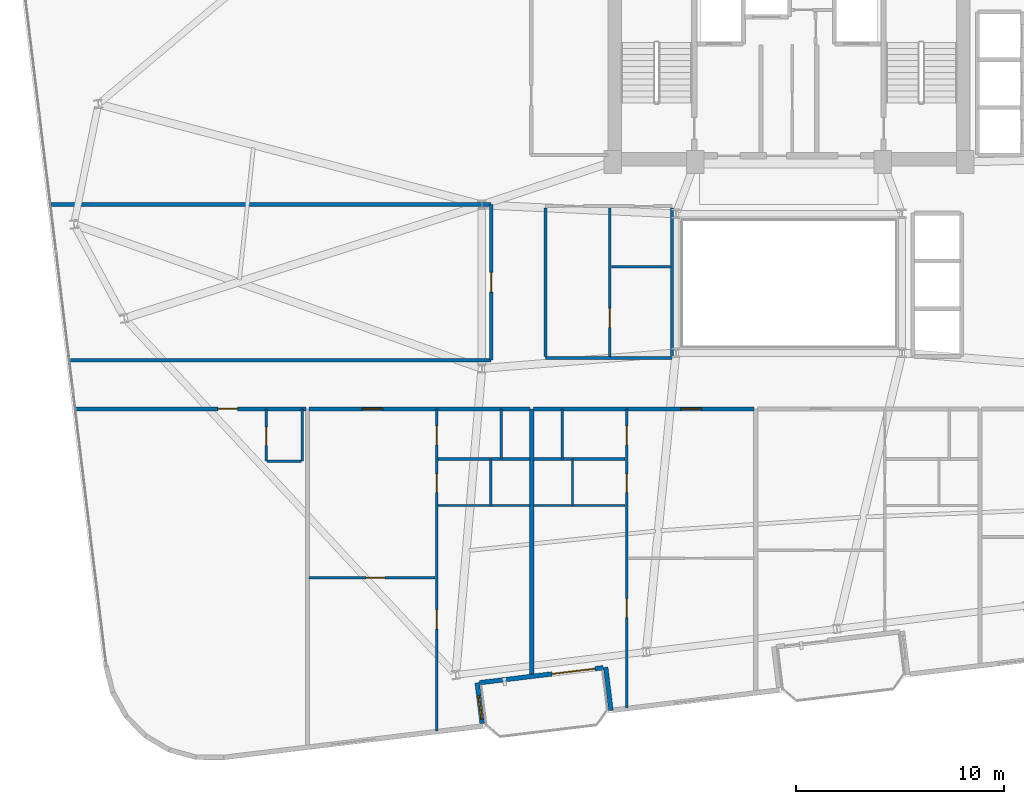
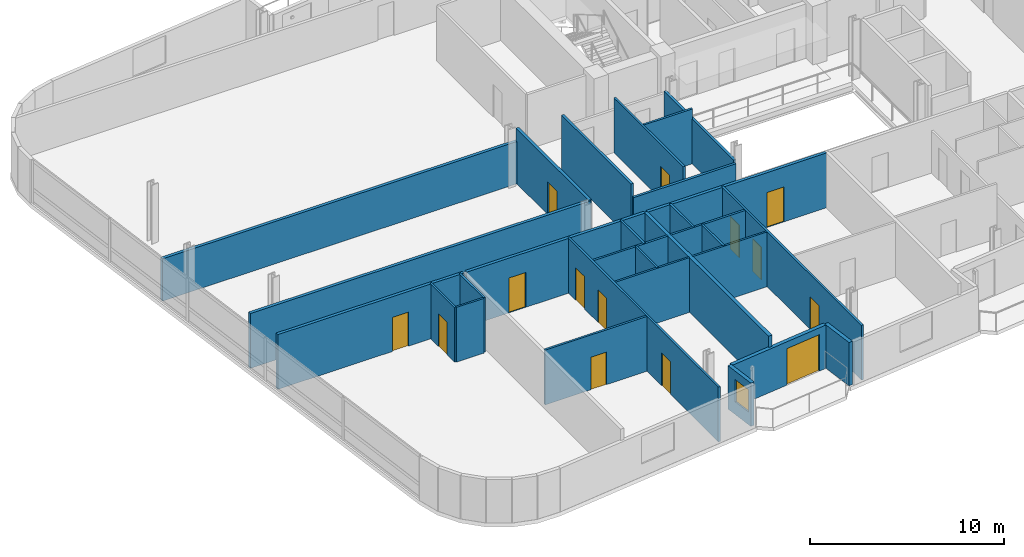
# One storey, part 14 of 23: 29 walls, 14 doors, 1 window, 15 openings.
"""IFC4 building model written with IfcOpenShell, lengths in metres."""

from ifc_helpers import new_model, si_unit, direction, frame, frame_2d, origin, place, context, subcontext, project, spatial, rectangle, extrude, material, layer, layer_set, type_object, element, fill, save


model = new_model("IFC4")

# Units and contexts
model_context = context("Model", 3, precision=1e-05, world=origin(), true_north=direction((0.0, 1.0)))
body_context = subcontext(model_context, "Body", "Model", "MODEL_VIEW")
ifc_project = project(units=[si_unit("LENGTHUNIT", "METRE"), si_unit("AREAUNIT", "SQUARE_METRE"), si_unit("VOLUMEUNIT", "CUBIC_METRE"), si_unit("PLANEANGLEUNIT", "RADIAN"), si_unit("MASSUNIT", "GRAM", prefix="KILO")], contexts=[model_context])

# Site, building, storey
site_placement = place(None, origin())
site = spatial("IfcSite", under=ifc_project, at=site_placement, CompositionType="ELEMENT")
building_placement = place(site_placement, origin())
building = spatial("IfcBuilding", under=site, at=building_placement, Name="Varnelok Gate Tower", CompositionType="ELEMENT")
storey_placement = place(building_placement, frame((0.0, 0.0, 170.89990234375)))
storey = spatial("IfcBuildingStorey", under=building, at=storey_placement, Name="L43", CompositionType="ELEMENT", Elevation=170.89990234375)

# Wall, opening, door
ifc_material_1 = material(Name="Concrete C45/55", Category="concrete")
ifc_layer_1 = layer(ifc_material_1, 0.219970703125)
ifc_layer_set_1 = layer_set([ifc_layer_1], Name="Concrete C45/55")
wall_type_1 = type_object("IfcWallType", Name="EW-BALC-220", PredefinedType="SOLIDWALL", material=ifc_layer_set_1)
wall_1_placement = place(storey_placement, frame((30.25244140625, 4.381103515625, 0.0), z_axis=(0.0, 0.0, 1.0), x_axis=(-0.992735402148, -0.120318000826, 0.0)))
wall_1 = element("IfcWall", 1, at=wall_1_placement, inside=storey, type_object=wall_type_1, Name="L43 South Terrace Envelope Wall 1", PredefinedType="SOLIDWALL", context=body_context, shape_type="SweptSolid", body=[
    extrude(rectangle(XDim=6.000244140625, YDim=0.219970703125, at=frame_2d((3.0, 0.0))), origin(), (0.0, 0.0, 1.0), 2.72998046875),
])
opening_1_placement = place(wall_1_placement, frame((0.39990234375, 0.0, 0.0)))
opening_1 = element("IfcOpeningElement", 2, at=opening_1_placement, cuts=wall_1, Name="Opening BD-2", PredefinedType="OPENING", context=body_context, shape_type="SweptSolid", body=[
    extrude(rectangle(XDim=2.10009765625, YDim=2.300048828125, at=frame_2d((1.050048828125, 1.14990234375))), frame((0.0, 0.119873046875, 0.0), z_axis=(0.0, -1.0, 0.0), x_axis=(1.0, 0.0, 0.0)), (0.0, 0.0, 1.0), 0.239990234375),
])
ifc_material_2 = material(Name="Anodized Aluminum Alloy 6063-T6", Category="aluminium")
door_type_1 = type_object("IfcDoorType", Name="DR-EXT-SLID2100", OperationType="SLIDING_TO_LEFT", PredefinedType="DOOR", material=ifc_material_2)
door_1_placement = place(opening_1_placement, origin())
door_1 = element("IfcDoor", 3, at=door_1_placement, inside=storey, type_object=door_type_1, Name="L43 South Balcony Glazed Door 1", OperationType="SLIDING_TO_LEFT", OverallHeight=2.300048828125, OverallWidth=2.10009765625, PredefinedType="DOOR", context=body_context, shape_type="SweptSolid", body=[
    extrude(rectangle(XDim=2.10009765625, YDim=2.300048828125, at=frame_2d((1.050048828125, 1.14990234375))), frame((0.0, 0.02490234375, 0.0), z_axis=(0.0, -1.0, 0.0), x_axis=(1.0, 0.0, 0.0)), (0.0, 0.0, 1.0), 0.050048828125),
])
fill(opening_1, door_1)

# Wall, opening, window
wall_2_placement = place(storey_placement, frame((24.413330078125, 1.694091796875, 0.0), z_axis=(0.0, 0.0, 1.0), x_axis=(-0.120290754542, 0.992738703976, 0.0)))
wall_2 = element("IfcWall", 4, at=wall_2_placement, inside=storey, type_object=wall_type_1, Name="L43 Perimeter Facade Closure Wall 8", PredefinedType="SOLIDWALL", context=body_context, shape_type="SweptSolid", body=[
    extrude(rectangle(XDim=1.974853515625, YDim=0.219970703125, at=frame_2d((0.9873046875, 0.0))), origin(), (0.0, 0.0, 1.0), 2.72998046875),
])
opening_2_placement = place(wall_2_placement, frame((0.199951171875, 0.0, 0.800048828125)))
opening_2 = element("IfcOpeningElement", 5, at=opening_2_placement, cuts=wall_2, Name="Opening WN8", PredefinedType="OPENING", context=body_context, shape_type="SweptSolid", body=[
    extrude(rectangle(XDim=1.14990234375, YDim=1.39990234375, at=frame_2d((0.574951171875, 0.699951171875))), frame((0.0, 0.119873046875, 0.0), z_axis=(0.0, -1.0, 0.0), x_axis=(1.0, 0.0, 0.0)), (0.0, 0.0, 1.0), 0.239990234375),
])
ifc_material_3 = material(Name="Low-E Laminated Double Glazing IGU", Category="glass")
window_type = type_object("IfcWindowType", Name="WN-BED-1150", PartitioningType="SINGLE_PANEL", PredefinedType="WINDOW", material=ifc_material_3)
window_placement = place(opening_2_placement, origin())
window = element("IfcWindow", 6, at=window_placement, inside=storey, type_object=window_type, Name="L43 Bedroom Vision Window 21", OverallHeight=1.39990234375, OverallWidth=1.14990234375, PartitioningType="SINGLE_PANEL", PredefinedType="WINDOW", context=body_context, shape_type="SweptSolid", body=[
    extrude(rectangle(XDim=1.14990234375, YDim=1.39990234375, at=frame_2d((0.574951171875, 0.699951171875))), frame((0.0, 0.030029296875, 0.0), z_axis=(0.0, -1.0, 0.0), x_axis=(1.0, 0.0, 0.0)), (0.0, 0.0, 1.0), 0.06005859375),
])
fill(opening_2, window)

# Wall
wall_3_placement = place(storey_placement, frame((30.370361328125, 4.405517578125, 0.0), z_axis=(0.0, 0.0, 1.0), x_axis=(0.120327895535, -0.992734202874, 0.0)))
element("IfcWall", 7, at=wall_3_placement, inside=storey, type_object=wall_type_1, Name="L43 Perimeter Facade Closure Wall 9", PredefinedType="SOLIDWALL", context=body_context, shape_type="SweptSolid", body=[
    extrude(rectangle(XDim=2.099853515625, YDim=0.219970703125, at=frame_2d((1.0498046875, 0.0))), origin(), (0.0, 0.0, 1.0), 2.72998046875),
])

# Wall, opening, door
ifc_material_4 = material(Name="Gypsum Plasterboard Acoustic Partition", Category="gypsum")
ifc_layer_2 = layer(ifc_material_4, 0.179931640625)
ifc_layer_set_2 = layer_set([ifc_layer_2], Name="Gypsum Plasterboard Acoustic Partition")
wall_type_2 = type_object("IfcWallType", Name="PW-CORR-180", PredefinedType="PARTITIONING", material=ifc_layer_set_2)
wall_4_placement = place(storey_placement, frame((4.846923828125, 16.85009765625, 0.0), z_axis=(0.0, 0.0, 1.0), x_axis=(1.0, 0.0, 0.0)))
wall_4 = element("IfcWall", 8, at=wall_4_placement, inside=storey, type_object=wall_type_2, Name="Interior Partition", PredefinedType="PARTITIONING", context=body_context, shape_type="SweptSolid", body=[
    extrude(rectangle(XDim=11.072998046875, YDim=0.179931640625, at=frame_2d((5.53662109375, 0.0))), origin(), (0.0, 0.0, 1.0), 3.4501953125),
])
opening_3_placement = place(wall_4_placement, frame((6.8330078125, 0.0, 0.0)))
opening_3 = element("IfcOpeningElement", 9, at=opening_3_placement, cuts=wall_4, Name="Opening D-HT", PredefinedType="OPENING", context=body_context, shape_type="SweptSolid", body=[
    extrude(rectangle(XDim=0.949951171875, YDim=2.14990234375, at=frame_2d((0.47509765625, 1.074951171875))), frame((0.0, 0.099853515625, 0.0), z_axis=(0.0, -1.0, 0.0), x_axis=(1.0, 0.0, 0.0)), (0.0, 0.0, 1.0), 0.199951171875),
])
ifc_material_5 = material(Name="Engineered Hardwood Timber", Category="wood")
door_type_2 = type_object("IfcDoorType", Name="DR-HTL-950", OperationType="NOTDEFINED", PredefinedType="DOOR", material=ifc_material_5)
door_2_placement = place(opening_3_placement, origin())
door_2 = element("IfcDoor", 10, at=door_2_placement, inside=storey, type_object=door_type_2, Name="L43 Guest Room 01 Entrance Door", OperationType="SINGLE_SWING_RIGHT", OverallHeight=2.14990234375, OverallWidth=0.949951171875, PredefinedType="DOOR", context=body_context, shape_type="SweptSolid", body=[
    extrude(rectangle(XDim=0.949951171875, YDim=2.14990234375, at=frame_2d((0.47509765625, 1.074951171875))), frame((0.0, 0.02490234375, 0.0), z_axis=(0.0, -1.0, 0.0), x_axis=(1.0, 0.0, 0.0)), (0.0, 0.0, 1.0), 0.050048828125),
])
fill(opening_3, door_2)

wall_5_placement = place(storey_placement, frame((16.080078125, 16.85009765625, 0.0), z_axis=(0.0, 0.0, 1.0), x_axis=(1.0, 0.0, 0.0)))
wall_5 = element("IfcWall", 11, at=wall_5_placement, inside=storey, type_object=wall_type_2, Name="Interior Partition", PredefinedType="PARTITIONING", context=body_context, shape_type="SweptSolid", body=[
    extrude(rectangle(XDim=10.639892578125, YDim=0.179931640625, at=frame_2d((5.31982421875, 0.0))), origin(), (0.0, 0.0, 1.0), 3.4501953125),
])
opening_4_placement = place(wall_5_placement, frame((2.53466796875, 0.0, 0.0)))
opening_4 = element("IfcOpeningElement", 12, at=opening_4_placement, cuts=wall_5, Name="Opening D-AP", PredefinedType="OPENING", context=body_context, shape_type="SweptSolid", body=[
    extrude(rectangle(XDim=1.0, YDim=2.199951171875, at=frame_2d((0.5, 1.10009765625))), frame((0.0, 0.099853515625, 0.0), z_axis=(0.0, -1.0, 0.0), x_axis=(1.0, 0.0, 0.0)), (0.0, 0.0, 1.0), 0.199951171875),
])
door_type_3 = type_object("IfcDoorType", Name="DR-APT-1000", OperationType="NOTDEFINED", PredefinedType="DOOR", material=ifc_material_5)
door_3_placement = place(opening_4_placement, origin())
door_3 = element("IfcDoor", 13, at=door_3_placement, inside=storey, type_object=door_type_3, Name="L43 Apartment 2 Entrance Door", OperationType="SINGLE_SWING_LEFT", OverallHeight=2.199951171875, OverallWidth=1.0, PredefinedType="DOOR", context=body_context, shape_type="SweptSolid", body=[
    extrude(rectangle(XDim=1.0, YDim=2.199951171875, at=frame_2d((0.5, 1.10009765625))), frame((0.0, 0.02490234375, 0.0), z_axis=(0.0, -1.0, 0.0), x_axis=(1.0, 0.0, 0.0)), (0.0, 0.0, 1.0), 0.050048828125),
])
fill(opening_4, door_3)

wall_6_placement = place(storey_placement, frame((26.8798828125, 16.85009765625, 0.0), z_axis=(0.0, 0.0, 1.0), x_axis=(1.0, 0.0, 0.0)))
wall_6 = element("IfcWall", 14, at=wall_6_placement, inside=storey, type_object=wall_type_2, Name="Interior Partition", PredefinedType="PARTITIONING", context=body_context, shape_type="SweptSolid", body=[
    extrude(rectangle(XDim=10.64013671875, YDim=0.179931640625, at=frame_2d((5.320068359375, 0.0))), origin(), (0.0, 0.0, 1.0), 3.4501953125),
])
opening_5_placement = place(wall_6_placement, frame((7.10546875, 0.0, 0.0)))
opening_5 = element("IfcOpeningElement", 15, at=opening_5_placement, cuts=wall_6, Name="Opening D-AP", PredefinedType="OPENING", context=body_context, shape_type="SweptSolid", body=[
    extrude(rectangle(XDim=1.0, YDim=2.199951171875, at=frame_2d((0.5, 1.10009765625))), frame((0.0, 0.099853515625, 0.0), z_axis=(0.0, -1.0, 0.0), x_axis=(1.0, 0.0, 0.0)), (0.0, 0.0, 1.0), 0.199951171875),
])
door_4_placement = place(opening_5_placement, origin())
door_4 = element("IfcDoor", 16, at=door_4_placement, inside=storey, type_object=door_type_3, Name="L43 Apartment 3 Entrance Door", OperationType="SINGLE_SWING_RIGHT", OverallHeight=2.199951171875, OverallWidth=1.0, PredefinedType="DOOR", context=body_context, shape_type="SweptSolid", body=[
    extrude(rectangle(XDim=1.0, YDim=2.199951171875, at=frame_2d((0.5, 1.10009765625))), frame((0.0, 0.02490234375, 0.0), z_axis=(0.0, -1.0, 0.0), x_axis=(1.0, 0.0, 0.0)), (0.0, 0.0, 1.0), 0.050048828125),
])
fill(opening_5, door_4)

wall_7_placement = place(storey_placement, frame((24.85009765625, 19.199951171875, 0.0), z_axis=(0.0, 0.0, 1.0), x_axis=(0.0, 1.0, 0.0)))
wall_7 = element("IfcWall", 17, at=wall_7_placement, inside=storey, type_object=wall_type_2, Name="Interior Partition", PredefinedType="PARTITIONING", context=body_context, shape_type="SweptSolid", body=[
    extrude(rectangle(XDim=7.5, YDim=0.179931640625, at=frame_2d((3.75, 0.0))), origin(), (0.0, 0.0, 1.0), 3.4501953125),
])
opening_6_placement = place(wall_7_placement, frame((3.27490234375, 0.0, 0.0)))
opening_6 = element("IfcOpeningElement", 18, at=opening_6_placement, cuts=wall_7, Name="Opening D-I2", PredefinedType="OPENING", context=body_context, shape_type="SweptSolid", body=[
    extrude(rectangle(XDim=0.949951171875, YDim=2.050048828125, at=frame_2d((0.47509765625, 1.02490234375))), frame((0.0, 0.099853515625, 0.0), z_axis=(0.0, -1.0, 0.0), x_axis=(1.0, 0.0, 0.0)), (0.0, 0.0, 1.0), 0.199951171875),
])
door_type_4 = type_object("IfcDoorType", Name="DR-INT-950", OperationType="NOTDEFINED", PredefinedType="DOOR", material=ifc_material_5)
door_5_placement = place(opening_6_placement, origin())
door_5 = element("IfcDoor", 19, at=door_5_placement, inside=storey, type_object=door_type_4, Name="L43 West Flank Room Door", OperationType="SINGLE_SWING_LEFT", OverallHeight=2.050048828125, OverallWidth=0.949951171875, PredefinedType="DOOR", context=body_context, shape_type="SweptSolid", body=[
    extrude(rectangle(XDim=0.949951171875, YDim=2.050048828125, at=frame_2d((0.47509765625, 1.02490234375))), frame((0.0, 0.02490234375, 0.0), z_axis=(0.0, -1.0, 0.0), x_axis=(1.0, 0.0, 0.0)), (0.0, 0.0, 1.0), 0.050048828125),
])
fill(opening_6, door_5)

# Walls
wall_8_placement = place(storey_placement, frame((4.56201171875, 19.199951171875, 0.0), z_axis=(0.0, 0.0, 1.0), x_axis=(1.0, 0.0, 0.0)))
element("IfcWall", 20, at=wall_8_placement, inside=storey, type_object=wall_type_2, Name="Interior Partition", PredefinedType="PARTITIONING", context=body_context, shape_type="SweptSolid", body=[
    extrude(rectangle(XDim=20.2880859375, YDim=0.179931640625, at=frame_2d((10.14404296875, 0.0))), origin(), (0.0, 0.0, 1.0), 3.4501953125),
])
wall_9_placement = place(storey_placement, frame((3.65283203125, 26.699951171875, 0.0), z_axis=(0.0, 0.0, 1.0), x_axis=(1.0, 0.0, 0.0)))
element("IfcWall", 21, at=wall_9_placement, inside=storey, type_object=wall_type_2, Name="Interior Partition", PredefinedType="PARTITIONING", context=body_context, shape_type="SweptSolid", body=[
    extrude(rectangle(XDim=21.197265625, YDim=0.179931640625, at=frame_2d((10.5986328125, 0.0))), origin(), (0.0, 0.0, 1.0), 2.662109375),
])
ifc_layer_3 = layer(ifc_material_4, 0.114990234375)
ifc_layer_set_3 = layer_set([ifc_layer_3], Name="Gypsum Plasterboard Acoustic Partition")
wall_type_3 = type_object("IfcWallType", Name="PW-ENS-125", PredefinedType="PARTITIONING", material=ifc_layer_set_3)
wall_10_placement = place(storey_placement, frame((14.050048828125, 14.330078125, 0.0), z_axis=(0.0, 0.0, 1.0), x_axis=(1.0, 0.0, 0.0)))
element("IfcWall", 22, at=wall_10_placement, inside=storey, type_object=wall_type_3, Name="Interior Partition", PredefinedType="PARTITIONING", context=body_context, shape_type="SweptSolid", body=[
    extrude(rectangle(XDim=1.64990234375, YDim=0.114990234375, at=frame_2d((0.824951171875, 0.0))), origin(), (0.0, 0.0, 1.0), 3.4501953125),
])

# Wall, opening, door
wall_11_placement = place(storey_placement, frame((14.010009765625, 14.330078125, 0.0), z_axis=(0.0, 0.0, 1.0), x_axis=(0.0, 1.0, 0.0)))
wall_11 = element("IfcWall", 23, at=wall_11_placement, inside=storey, type_object=wall_type_3, Name="Interior Partition", PredefinedType="PARTITIONING", context=body_context, shape_type="SweptSolid", body=[
    extrude(rectangle(XDim=2.52001953125, YDim=0.114990234375, at=frame_2d((1.260009765625, 0.0))), origin(), (0.0, 0.0, 1.0), 3.4501953125),
])
opening_7_placement = place(wall_11_placement, frame((0.760009765625, 0.0, 0.0)))
opening_7 = element("IfcOpeningElement", 24, at=opening_7_placement, cuts=wall_11, Name="Opening D-WC", PredefinedType="OPENING", context=body_context, shape_type="SweptSolid", body=[
    extrude(rectangle(XDim=0.89990234375, YDim=2.050048828125, at=frame_2d((0.449951171875, 1.02490234375))), frame((0.0, 0.0673828125, 0.0), z_axis=(0.0, -1.0, 0.0), x_axis=(1.0, 0.0, 0.0)), (0.0, 0.0, 1.0), 0.135009765625),
])
door_type_5 = type_object("IfcDoorType", Name="DR-BATH-900", OperationType="NOTDEFINED", PredefinedType="DOOR", material=ifc_material_5)
door_6_placement = place(opening_7_placement, origin())
door_6 = element("IfcDoor", 25, at=door_6_placement, inside=storey, type_object=door_type_5, Name="L43 Guest En-Suite 01 Door", OperationType="SINGLE_SWING_RIGHT", OverallHeight=2.050048828125, OverallWidth=0.89990234375, PredefinedType="DOOR", context=body_context, shape_type="SweptSolid", body=[
    extrude(rectangle(XDim=0.89990234375, YDim=2.050048828125, at=frame_2d((0.449951171875, 1.02490234375))), frame((0.0, 0.02490234375, 0.0), z_axis=(0.0, -1.0, 0.0), x_axis=(1.0, 0.0, 0.0)), (0.0, 0.0, 1.0), 0.050048828125),
])
fill(opening_7, door_6)

# Walls
wall_12_placement = place(storey_placement, frame((15.739990234375, 14.330078125, 0.0), z_axis=(0.0, 0.0, 1.0), x_axis=(0.0, 1.0, 0.0)))
element("IfcWall", 26, at=wall_12_placement, inside=storey, type_object=wall_type_3, Name="Interior Partition", PredefinedType="PARTITIONING", context=body_context, shape_type="SweptSolid", body=[
    extrude(rectangle(XDim=2.52001953125, YDim=0.114990234375, at=frame_2d((1.260009765625, 0.0))), origin(), (0.0, 0.0, 1.0), 3.4501953125),
])
wall_13_placement = place(storey_placement, frame((22.289306640625, 12.199951171875, 0.0), z_axis=(0.0, 0.0, 1.0), x_axis=(1.0, 0.0, 0.0)))
element("IfcWall", 27, at=wall_13_placement, inside=storey, type_object=wall_type_3, Name="Interior Partition", PredefinedType="PARTITIONING", context=body_context, shape_type="SweptSolid", body=[
    extrude(rectangle(XDim=4.4306640625, YDim=0.114990234375, at=frame_2d((2.21533203125, 0.0))), origin(), (0.0, 0.0, 1.0), 3.4501953125),
])
wall_14_placement = place(storey_placement, frame((24.8291015625, 12.199951171875, 0.0), z_axis=(0.0, 0.0, 1.0), x_axis=(0.0, 1.0, 0.0)))
element("IfcWall", 28, at=wall_14_placement, inside=storey, type_object=wall_type_3, Name="Interior Partition", PredefinedType="PARTITIONING", context=body_context, shape_type="SweptSolid", body=[
    extrude(rectangle(XDim=2.239990234375, YDim=0.114990234375, at=frame_2d((1.1201171875, 0.0))), origin(), (0.0, 0.0, 1.0), 3.4501953125),
])
wall_15_placement = place(storey_placement, frame((26.8798828125, 12.199951171875, 0.0), z_axis=(0.0, 0.0, 1.0), x_axis=(1.0, 0.0, 0.0)))
element("IfcWall", 29, at=wall_15_placement, inside=storey, type_object=wall_type_3, Name="Interior Partition", PredefinedType="PARTITIONING", context=body_context, shape_type="SweptSolid", body=[
    extrude(rectangle(XDim=4.430908203125, YDim=0.114990234375, at=frame_2d((2.21533203125, 0.0))), origin(), (0.0, 0.0, 1.0), 3.4501953125),
])
wall_16_placement = place(storey_placement, frame((28.770751953125, 12.199951171875, 0.0), z_axis=(0.0, 0.0, 1.0), x_axis=(0.0, 1.0, 0.0)))
element("IfcWall", 30, at=wall_16_placement, inside=storey, type_object=wall_type_3, Name="Interior Partition", PredefinedType="PARTITIONING", context=body_context, shape_type="SweptSolid", body=[
    extrude(rectangle(XDim=2.239990234375, YDim=0.114990234375, at=frame_2d((1.1201171875, 0.0))), origin(), (0.0, 0.0, 1.0), 3.4501953125),
])

# Wall, opening, door
ifc_layer_4 = layer(ifc_material_4, 0.125)
ifc_layer_set_4 = layer_set([ifc_layer_4], Name="Gypsum Plasterboard Acoustic Partition")
wall_type_4 = type_object("IfcWallType", Name="PW-PART-125", PredefinedType="PARTITIONING", material=ifc_layer_set_4)
wall_17_placement = place(storey_placement, frame((16.080078125, 8.72412109375, 0.0), z_axis=(0.0, 0.0, 1.0), x_axis=(1.0, 0.0, 0.0)))
wall_17 = element("IfcWall", 31, at=wall_17_placement, inside=storey, type_object=wall_type_4, Name="Interior Partition", PredefinedType="PARTITIONING", context=body_context, shape_type="SweptSolid", body=[
    extrude(rectangle(XDim=6.069091796875, YDim=0.125, at=frame_2d((3.03466796875, 0.0))), origin(), (0.0, 0.0, 1.0), 3.4501953125),
])
opening_8_placement = place(wall_17_placement, frame((2.731201171875, 0.0, 0.0)))
opening_8 = element("IfcOpeningElement", 32, at=opening_8_placement, cuts=wall_17, Name="Opening D-I3", PredefinedType="OPENING", context=body_context, shape_type="SweptSolid", body=[
    extrude(rectangle(XDim=0.919921875, YDim=2.050048828125, at=frame_2d((0.4599609375, 1.02490234375))), frame((0.0, 0.072509765625, 0.0), z_axis=(0.0, -1.0, 0.0), x_axis=(1.0, 0.0, 0.0)), (0.0, 0.0, 1.0), 0.14501953125),
])
door_type_6 = type_object("IfcDoorType", Name="DR-INT-920", OperationType="NOTDEFINED", PredefinedType="DOOR", material=ifc_material_5)
door_7_placement = place(opening_8_placement, origin())
door_7 = element("IfcDoor", 33, at=door_7_placement, inside=storey, type_object=door_type_6, Name="L43 Apartment 2 Study Door", OperationType="SINGLE_SWING_LEFT", OverallHeight=2.050048828125, OverallWidth=0.919921875, PredefinedType="DOOR", context=body_context, shape_type="SweptSolid", body=[
    extrude(rectangle(XDim=0.919921875, YDim=2.050048828125, at=frame_2d((0.4599609375, 1.02490234375))), frame((0.0, 0.02490234375, 0.0), z_axis=(0.0, -1.0, 0.0), x_axis=(1.0, 0.0, 0.0)), (0.0, 0.0, 1.0), 0.050048828125),
])
fill(opening_8, door_7)

# Wall, openings, doors
wall_18_placement = place(storey_placement, frame((22.21923828125, 1.322265625, 0.0), z_axis=(0.0, 0.0, 1.0), x_axis=(0.0, 1.0, 0.0)))
wall_18 = element("IfcWall", 34, at=wall_18_placement, inside=storey, type_object=wall_type_4, Name="Interior Partition", PredefinedType="PARTITIONING", context=body_context, shape_type="SweptSolid", body=[
    extrude(rectangle(XDim=15.52783203125, YDim=0.125, at=frame_2d((7.763916015625, 0.0))), origin(), (0.0, 0.0, 1.0), 3.4501953125),
])
opening_9_placement = place(wall_18_placement, frame((4.9189453125, 0.0, 0.0)))
opening_9 = element("IfcOpeningElement", 35, at=opening_9_placement, cuts=wall_18, Name="Opening D-I3", PredefinedType="OPENING", context=body_context, shape_type="SweptSolid", body=[
    extrude(rectangle(XDim=0.919921875, YDim=2.050048828125, at=frame_2d((0.4599609375, 1.02490234375))), frame((0.0, 0.072509765625, 0.0), z_axis=(0.0, -1.0, 0.0), x_axis=(1.0, 0.0, 0.0)), (0.0, 0.0, 1.0), 0.14501953125),
])
opening_10_placement = place(wall_18_placement, frame((11.505126953125, 0.0, 0.0)))
opening_10 = element("IfcOpeningElement", 36, at=opening_10_placement, cuts=wall_18, Name="Opening D-WC", PredefinedType="OPENING", context=body_context, shape_type="SweptSolid", body=[
    extrude(rectangle(XDim=0.89990234375, YDim=2.050048828125, at=frame_2d((0.449951171875, 1.02490234375))), frame((0.0, 0.072509765625, 0.0), z_axis=(0.0, -1.0, 0.0), x_axis=(1.0, 0.0, 0.0)), (0.0, 0.0, 1.0), 0.14501953125),
])
opening_11_placement = place(wall_18_placement, frame((13.7978515625, 0.0, 0.0)))
opening_11 = element("IfcOpeningElement", 37, at=opening_11_placement, cuts=wall_18, Name="Opening D-I3", PredefinedType="OPENING", context=body_context, shape_type="SweptSolid", body=[
    extrude(rectangle(XDim=0.919921875, YDim=2.050048828125, at=frame_2d((0.4599609375, 1.02490234375))), frame((0.0, 0.072509765625, 0.0), z_axis=(0.0, -1.0, 0.0), x_axis=(1.0, 0.0, 0.0)), (0.0, 0.0, 1.0), 0.14501953125),
])
door_8_placement = place(opening_10_placement, origin())
door_8 = element("IfcDoor", 38, at=door_8_placement, inside=storey, type_object=door_type_5, Name="L43 Apartment 2 Bathroom Door", OperationType="SINGLE_SWING_LEFT", OverallHeight=2.050048828125, OverallWidth=0.89990234375, PredefinedType="DOOR", context=body_context, shape_type="SweptSolid", body=[
    extrude(rectangle(XDim=0.89990234375, YDim=2.050048828125, at=frame_2d((0.449951171875, 1.02490234375))), frame((0.0, 0.02490234375, 0.0), z_axis=(0.0, -1.0, 0.0), x_axis=(1.0, 0.0, 0.0)), (0.0, 0.0, 1.0), 0.050048828125),
])
fill(opening_10, door_8)
door_9_placement = place(opening_9_placement, origin())
door_9 = element("IfcDoor", 39, at=door_9_placement, inside=storey, type_object=door_type_6, Name="L43 Apartment 2 Bedroom Door", OperationType="SINGLE_SWING_RIGHT", OverallHeight=2.050048828125, OverallWidth=0.919921875, PredefinedType="DOOR", context=body_context, shape_type="SweptSolid", body=[
    extrude(rectangle(XDim=0.919921875, YDim=2.050048828125, at=frame_2d((0.4599609375, 1.02490234375))), frame((0.0, 0.02490234375, 0.0), z_axis=(0.0, -1.0, 0.0), x_axis=(1.0, 0.0, 0.0)), (0.0, 0.0, 1.0), 0.050048828125),
])
fill(opening_9, door_9)
door_10_placement = place(opening_11_placement, origin())
door_10 = element("IfcDoor", 40, at=door_10_placement, inside=storey, type_object=door_type_6, Name="L43 Apartment 2 Kitchen Door", OperationType="SINGLE_SWING_RIGHT", OverallHeight=2.050048828125, OverallWidth=0.919921875, PredefinedType="DOOR", context=body_context, shape_type="SweptSolid", body=[
    extrude(rectangle(XDim=0.919921875, YDim=2.050048828125, at=frame_2d((0.4599609375, 1.02490234375))), frame((0.0, 0.02490234375, 0.0), z_axis=(0.0, -1.0, 0.0), x_axis=(1.0, 0.0, 0.0)), (0.0, 0.0, 1.0), 0.050048828125),
])
fill(opening_11, door_10)

# Walls
wall_19_placement = place(storey_placement, frame((22.289306640625, 14.43994140625, 0.0), z_axis=(0.0, 0.0, 1.0), x_axis=(1.0, 0.0, 0.0)))
element("IfcWall", 41, at=wall_19_placement, inside=storey, type_object=wall_type_4, Name="Interior Partition", PredefinedType="PARTITIONING", context=body_context, shape_type="SweptSolid", body=[
    extrude(rectangle(XDim=4.4306640625, YDim=0.125, at=frame_2d((2.21533203125, 0.0))), origin(), (0.0, 0.0, 1.0), 3.4501953125),
])
wall_20_placement = place(storey_placement, frame((25.3291015625, 14.43994140625, 0.0), z_axis=(0.0, 0.0, 1.0), x_axis=(0.0, 1.0, 0.0)))
element("IfcWall", 42, at=wall_20_placement, inside=storey, type_object=wall_type_4, Name="Interior Partition", PredefinedType="PARTITIONING", context=body_context, shape_type="SweptSolid", body=[
    extrude(rectangle(XDim=2.41015625, YDim=0.125, at=frame_2d((1.205078125, 0.0))), origin(), (0.0, 0.0, 1.0), 3.4501953125),
])

# Wall, openings, doors
wall_21_placement = place(storey_placement, frame((31.380859375, 2.432861328125, 0.0), z_axis=(0.0, 0.0, 1.0), x_axis=(0.0, 1.0, 0.0)))
wall_21 = element("IfcWall", 43, at=wall_21_placement, inside=storey, type_object=wall_type_4, Name="Interior Partition", PredefinedType="PARTITIONING", context=body_context, shape_type="SweptSolid", body=[
    extrude(rectangle(XDim=14.417236328125, YDim=0.125, at=frame_2d((7.20849609375, 0.0))), origin(), (0.0, 0.0, 1.0), 3.4501953125),
])
opening_12_placement = place(wall_21_placement, frame((4.363525390625, 0.0, 0.0)))
opening_12 = element("IfcOpeningElement", 44, at=opening_12_placement, cuts=wall_21, Name="Opening D-I3", PredefinedType="OPENING", context=body_context, shape_type="SweptSolid", body=[
    extrude(rectangle(XDim=0.919921875, YDim=2.050048828125, at=frame_2d((0.4599609375, 1.02490234375))), frame((0.0, 0.072509765625, 0.0), z_axis=(0.0, -1.0, 0.0), x_axis=(1.0, 0.0, 0.0)), (0.0, 0.0, 1.0), 0.14501953125),
])
opening_13_placement = place(wall_21_placement, frame((10.39453125, 0.0, 0.0)))
opening_13 = element("IfcOpeningElement", 45, at=opening_13_placement, cuts=wall_21, Name="Opening D-WC", PredefinedType="OPENING", context=body_context, shape_type="SweptSolid", body=[
    extrude(rectangle(XDim=0.89990234375, YDim=2.050048828125, at=frame_2d((0.449951171875, 1.02490234375))), frame((0.0, 0.072509765625, 0.0), z_axis=(0.0, -1.0, 0.0), x_axis=(1.0, 0.0, 0.0)), (0.0, 0.0, 1.0), 0.14501953125),
])
opening_14_placement = place(wall_21_placement, frame((12.687255859375, 0.0, 0.0)))
opening_14 = element("IfcOpeningElement", 46, at=opening_14_placement, cuts=wall_21, Name="Opening D-I3", PredefinedType="OPENING", context=body_context, shape_type="SweptSolid", body=[
    extrude(rectangle(XDim=0.919921875, YDim=2.050048828125, at=frame_2d((0.4599609375, 1.02490234375))), frame((0.0, 0.072509765625, 0.0), z_axis=(0.0, -1.0, 0.0), x_axis=(1.0, 0.0, 0.0)), (0.0, 0.0, 1.0), 0.14501953125),
])
door_11_placement = place(opening_13_placement, origin())
door_11 = element("IfcDoor", 47, at=door_11_placement, inside=storey, type_object=door_type_5, Name="L43 Apartment 3 Bathroom Door", OperationType="SINGLE_SWING_LEFT", OverallHeight=2.050048828125, OverallWidth=0.89990234375, PredefinedType="DOOR", context=body_context, shape_type="SweptSolid", body=[
    extrude(rectangle(XDim=0.89990234375, YDim=2.050048828125, at=frame_2d((0.449951171875, 1.02490234375))), frame((0.0, 0.02490234375, 0.0), z_axis=(0.0, -1.0, 0.0), x_axis=(1.0, 0.0, 0.0)), (0.0, 0.0, 1.0), 0.050048828125),
])
fill(opening_13, door_11)
door_12_placement = place(opening_12_placement, origin())
door_12 = element("IfcDoor", 48, at=door_12_placement, inside=storey, type_object=door_type_6, Name="L43 Apartment 3 Bedroom Door", OperationType="SINGLE_SWING_RIGHT", OverallHeight=2.050048828125, OverallWidth=0.919921875, PredefinedType="DOOR", context=body_context, shape_type="SweptSolid", body=[
    extrude(rectangle(XDim=0.919921875, YDim=2.050048828125, at=frame_2d((0.4599609375, 1.02490234375))), frame((0.0, 0.02490234375, 0.0), z_axis=(0.0, -1.0, 0.0), x_axis=(1.0, 0.0, 0.0)), (0.0, 0.0, 1.0), 0.050048828125),
])
fill(opening_12, door_12)
door_13_placement = place(opening_14_placement, origin())
door_13 = element("IfcDoor", 49, at=door_13_placement, inside=storey, type_object=door_type_6, Name="L43 Apartment 3 Kitchen Door", OperationType="SINGLE_SWING_RIGHT", OverallHeight=2.050048828125, OverallWidth=0.919921875, PredefinedType="DOOR", context=body_context, shape_type="SweptSolid", body=[
    extrude(rectangle(XDim=0.919921875, YDim=2.050048828125, at=frame_2d((0.4599609375, 1.02490234375))), frame((0.0, 0.02490234375, 0.0), z_axis=(0.0, -1.0, 0.0), x_axis=(1.0, 0.0, 0.0)), (0.0, 0.0, 1.0), 0.050048828125),
])
fill(opening_14, door_13)

# Walls
wall_22_placement = place(storey_placement, frame((26.8798828125, 14.43994140625, 0.0), z_axis=(0.0, 0.0, 1.0), x_axis=(1.0, 0.0, 0.0)))
element("IfcWall", 50, at=wall_22_placement, inside=storey, type_object=wall_type_4, Name="Interior Partition", PredefinedType="PARTITIONING", context=body_context, shape_type="SweptSolid", body=[
    extrude(rectangle(XDim=4.430908203125, YDim=0.125, at=frame_2d((2.21533203125, 0.0))), origin(), (0.0, 0.0, 1.0), 3.4501953125),
])
wall_23_placement = place(storey_placement, frame((28.270751953125, 14.43994140625, 0.0), z_axis=(0.0, 0.0, 1.0), x_axis=(0.0, 1.0, 0.0)))
element("IfcWall", 51, at=wall_23_placement, inside=storey, type_object=wall_type_4, Name="Interior Partition", PredefinedType="PARTITIONING", context=body_context, shape_type="SweptSolid", body=[
    extrude(rectangle(XDim=2.41015625, YDim=0.125, at=frame_2d((1.205078125, 0.0))), origin(), (0.0, 0.0, 1.0), 3.4501953125),
])

# Wall, opening, door
wall_24_placement = place(storey_placement, frame((30.56005859375, 19.3798828125, 0.0), z_axis=(0.0, 0.0, 1.0), x_axis=(0.0, 1.0, 0.0)))
wall_24 = element("IfcWall", 52, at=wall_24_placement, inside=storey, type_object=wall_type_4, Name="Interior Partition", PredefinedType="PARTITIONING", context=body_context, shape_type="SweptSolid", body=[
    extrude(rectangle(XDim=7.16015625, YDim=0.125, at=frame_2d((3.580078125, 0.0))), origin(), (0.0, 0.0, 1.0), 3.4501953125),
])
opening_15_placement = place(wall_24_placement, frame((1.39990234375, 0.0, 0.0)))
opening_15 = element("IfcOpeningElement", 53, at=opening_15_placement, cuts=wall_24, Name="Opening D-I3", PredefinedType="OPENING", context=body_context, shape_type="SweptSolid", body=[
    extrude(rectangle(XDim=0.919921875, YDim=2.050048828125, at=frame_2d((0.4599609375, 1.02490234375))), frame((0.0, 0.072509765625, 0.0), z_axis=(0.0, -1.0, 0.0), x_axis=(1.0, 0.0, 0.0)), (0.0, 0.0, 1.0), 0.14501953125),
])
door_14_placement = place(opening_15_placement, origin())
door_14 = element("IfcDoor", 54, at=door_14_placement, inside=storey, type_object=door_type_6, Name="L43 Floor Linen Store Door", OperationType="SINGLE_SWING_RIGHT", OverallHeight=2.050048828125, OverallWidth=0.919921875, PredefinedType="DOOR", context=body_context, shape_type="SweptSolid", body=[
    extrude(rectangle(XDim=0.919921875, YDim=2.050048828125, at=frame_2d((0.4599609375, 1.02490234375))), frame((0.0, 0.02490234375, 0.0), z_axis=(0.0, -1.0, 0.0), x_axis=(1.0, 0.0, 0.0)), (0.0, 0.0, 1.0), 0.050048828125),
])
fill(opening_15, door_14)

# Walls
wall_25_placement = place(storey_placement, frame((30.639892578125, 23.7099609375, 0.0), z_axis=(0.0, 0.0, 1.0), x_axis=(1.0, 0.0, 0.0)))
element("IfcWall", 55, at=wall_25_placement, inside=storey, type_object=wall_type_4, Name="Interior Partition", PredefinedType="PARTITIONING", context=body_context, shape_type="SweptSolid", body=[
    extrude(rectangle(XDim=2.880126953125, YDim=0.125, at=frame_2d((1.43994140625, 0.0))), origin(), (0.0, 0.0, 1.0), 3.4501953125),
])
ifc_layer_5 = layer(ifc_material_4, 0.14990234375)
ifc_layer_set_5 = layer_set([ifc_layer_5], Name="Gypsum Plasterboard Acoustic Partition")
wall_type_5 = type_object("IfcWallType", Name="PW-PART-150", PredefinedType="PARTITIONING", material=ifc_layer_set_5)
wall_26_placement = place(storey_placement, frame((27.4599609375, 19.300048828125, 0.0), z_axis=(0.0, 0.0, 1.0), x_axis=(1.0, 0.0, 0.0)))
element("IfcWall", 56, at=wall_26_placement, inside=storey, type_object=wall_type_5, Name="Interior Partition", PredefinedType="PARTITIONING", context=body_context, shape_type="SweptSolid", body=[
    extrude(rectangle(XDim=6.10009765625, YDim=0.14990234375, at=frame_2d((3.050048828125, 0.0))), origin(), (0.0, 0.0, 1.0), 2.662109375),
])
wall_27_placement = place(storey_placement, frame((27.4599609375, 19.3798828125, 0.0), z_axis=(0.0, 0.0, 1.0), x_axis=(0.0, 1.0, 0.0)))
element("IfcWall", 57, at=wall_27_placement, inside=storey, type_object=wall_type_5, Name="Interior Partition", PredefinedType="PARTITIONING", context=body_context, shape_type="SweptSolid", body=[
    extrude(rectangle(XDim=7.16015625, YDim=0.14990234375, at=frame_2d((3.580078125, 0.0))), origin(), (0.0, 0.0, 1.0), 3.4501953125),
])
wall_28_placement = place(storey_placement, frame((33.56005859375, 19.3798828125, 0.0), z_axis=(0.0, 0.0, 1.0), x_axis=(0.0, 1.0, 0.0)))
element("IfcWall", 58, at=wall_28_placement, inside=storey, type_object=wall_type_5, Name="Interior Partition", PredefinedType="PARTITIONING", context=body_context, shape_type="SweptSolid", body=[
    extrude(rectangle(XDim=7.16015625, YDim=0.14990234375, at=frame_2d((3.580078125, 0.0))), origin(), (0.0, 0.0, 1.0), 2.82421875),
])
ifc_layer_6 = layer(ifc_material_4, 0.205078125)
ifc_layer_set_6 = layer_set([ifc_layer_6], Name="Gypsum Plasterboard Acoustic Partition")
wall_type_6 = type_object("IfcWallType", Name="PW-PARTY-200", PredefinedType="PARTITIONING", material=ifc_layer_set_6)
wall_29_placement = place(storey_placement, frame((26.800048828125, 3.992919921875, 0.0), z_axis=(0.0, 0.0, 1.0), x_axis=(0.0, 1.0, 0.0)))
element("IfcWall", 59, at=wall_29_placement, inside=storey, type_object=wall_type_6, Name="L43 South Party Wall 2", PredefinedType="PARTITIONING", context=body_context, shape_type="SweptSolid", body=[
    extrude(rectangle(XDim=12.857177734375, YDim=0.205078125, at=frame_2d((6.4287109375, 0.0))), origin(), (0.0, 0.0, 1.0), 3.4501953125),
])

save(model, "model.ifc")
